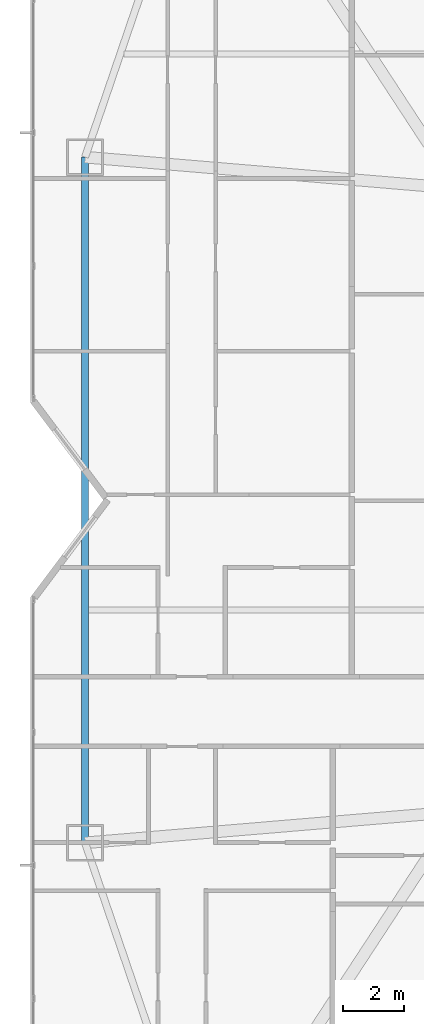
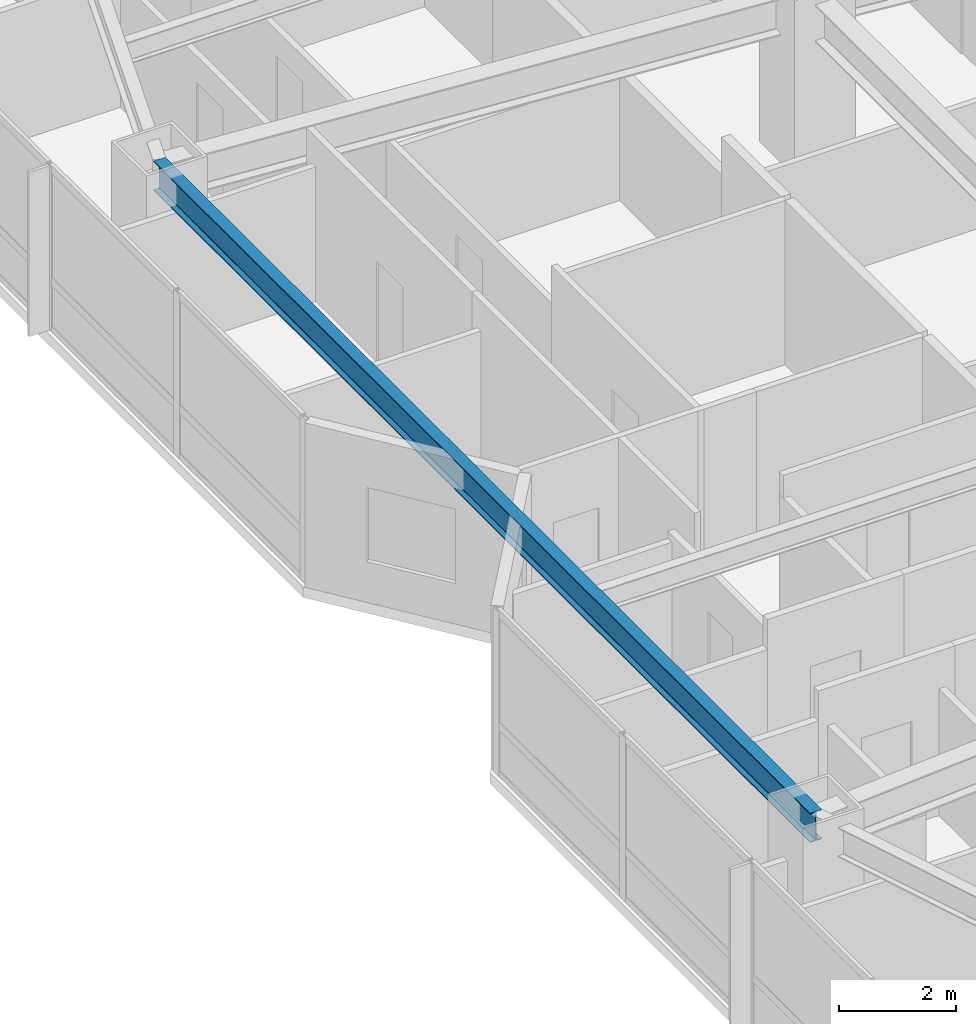
# One storey, part 7 of 25: 1 beam.
"""IFC4 building model written with IfcOpenShell, lengths in metres."""

from ifc_helpers import new_model, si_unit, direction, frame, origin, origin_2d, place, context, subcontext, project, spatial, i_section, extrude, material, material_profile, profile_set, type_object, element, save


model = new_model("IFC4")

# Units and contexts
model_context = context("Model", 3, precision=1e-05, world=origin(), true_north=direction((0.0, 1.0)))
body_context = subcontext(model_context, "Body", "Model", "MODEL_VIEW")
ifc_project = project(units=[si_unit("LENGTHUNIT", "METRE"), si_unit("AREAUNIT", "SQUARE_METRE"), si_unit("VOLUMEUNIT", "CUBIC_METRE"), si_unit("PLANEANGLEUNIT", "RADIAN"), si_unit("MASSUNIT", "GRAM", prefix="KILO")], contexts=[model_context])

# Site, building, storey
site_placement = place(None, origin())
site = spatial("IfcSite", under=ifc_project, at=site_placement, CompositionType="ELEMENT")
building_placement = place(site_placement, origin())
building = spatial("IfcBuilding", under=site, at=building_placement, Name="Khamvora Tower", CompositionType="ELEMENT")
storey_placement = place(building_placement, frame((0.0, 0.0, 36.949951171875)))
storey = spatial("IfcBuildingStorey", under=building, at=storey_placement, Name="L08", CompositionType="ELEMENT", Elevation=36.949951171875)

# Beam
ifc_material = material(Name="Steel S355", Category="steel")
ifc_material_profile = material_profile(ifc_material, i_section(OverallWidth=0.22998046875, OverallDepth=0.616943359375, WebThickness=0.012939453125, FlangeThickness=0.02197265625, FilletRadius=0.013916015625, at=origin_2d()), Name="W610x140")
ifc_profile_set = profile_set([ifc_material_profile], Name="Steel S355")
beam_type = type_object("IfcBeamType", Name="BM-SP-W610x140", PredefinedType="SPANDREL", material=ifc_profile_set)
beam_placement = place(storey_placement, frame((5.800048828125, 39.22509765625, 3.1220703125), z_axis=(0.0, -1.0, 0.0), x_axis=(1.0, 0.0, 0.0)))
element("IfcBeam", 1, at=beam_placement, inside=storey, type_object=beam_type, Name="L08 perimeter spandrel beam W2-W1", PredefinedType="SPANDREL", context=body_context, shape_type="SweptSolid", body=[
    extrude(i_section(OverallWidth=0.22998046875, OverallDepth=0.616943359375, WebThickness=0.012939453125, FlangeThickness=0.02197265625, FilletRadius=0.013916015625, at=origin_2d()), origin(), (0.0, 0.0, 1.0), 22.4501953125),
])

save(model, "model.ifc")
